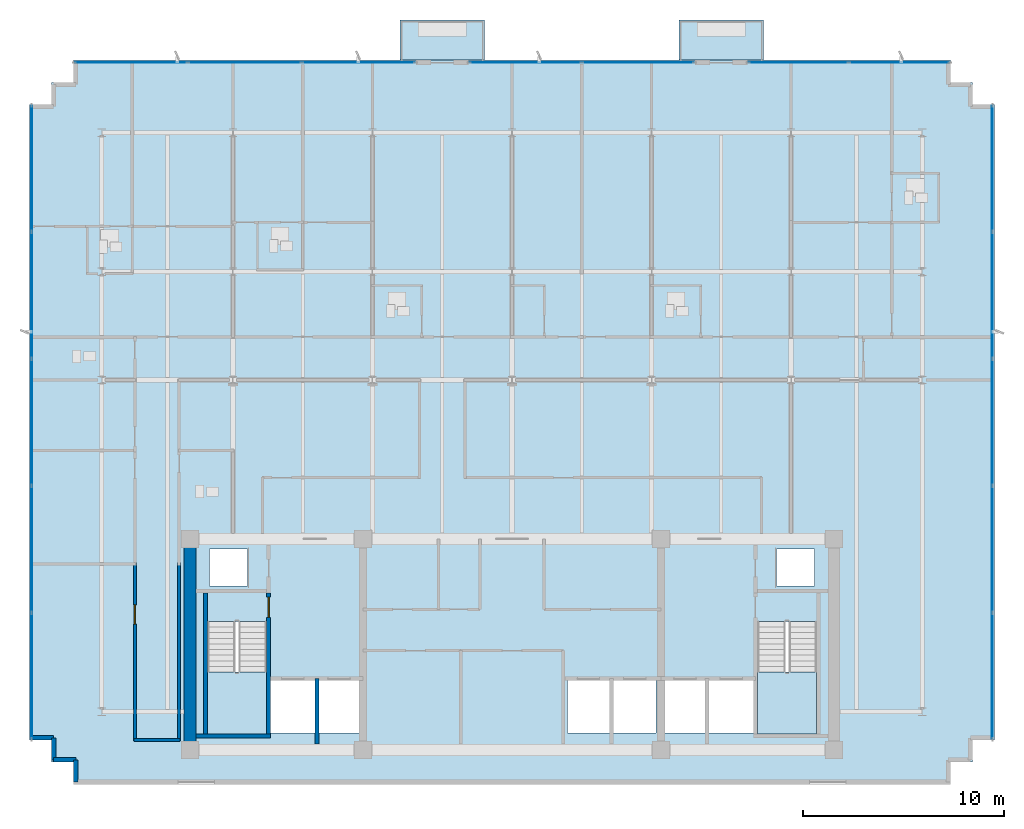
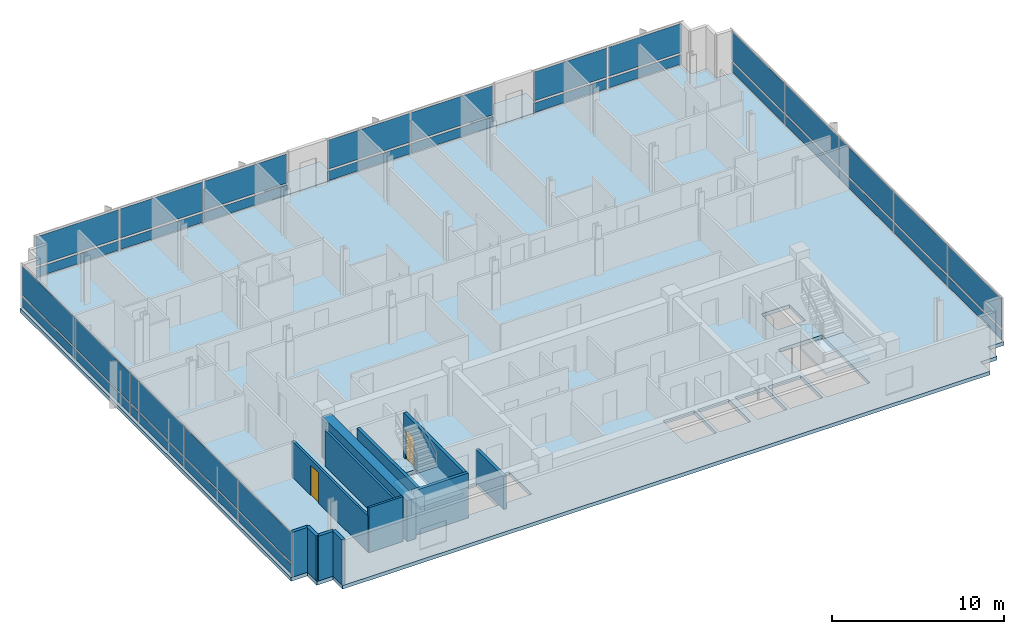
# One storey, part 7 of 14: 34 plates, 12 walls, 5 slabs, 2 doors, 2 openings, 7 elements without a shape of their own.
"""IFC4 building model written with IfcOpenShell, lengths in metres."""

from ifc_helpers import new_model, si_unit, direction, frame, frame_2d, origin, origin_2d, place, context, subcontext, project, spatial, polyline, rectangle, outline, extrude, material, layer, layer_set, type_object, element, fill, aggregate, save


model = new_model("IFC4")

# Units and contexts
model_context = context("Model", 3, precision=1e-05, world=origin(), true_north=direction((0.0, 1.0)))
body_context = subcontext(model_context, "Body", "Model", "MODEL_VIEW")
ifc_project = project(units=[si_unit("LENGTHUNIT", "METRE"), si_unit("AREAUNIT", "SQUARE_METRE"), si_unit("VOLUMEUNIT", "CUBIC_METRE"), si_unit("PLANEANGLEUNIT", "RADIAN"), si_unit("MASSUNIT", "GRAM", prefix="KILO")], contexts=[model_context])

# Site, building, storey
site_placement = place(None, origin())
site = spatial("IfcSite", under=ifc_project, at=site_placement, CompositionType="ELEMENT")
building_placement = place(site_placement, origin())
building = spatial("IfcBuilding", under=site, at=building_placement, Name="Solmavex Isthmus Hotel", CompositionType="ELEMENT")
storey_placement = place(building_placement, frame((0.0, 0.0, 252.300048828125)))
storey = spatial("IfcBuildingStorey", under=building, at=storey_placement, Name="L68", CompositionType="ELEMENT", Elevation=252.300048828125)

# Curtain wall, plates
ifc_material_1 = material(Name="Aluminium alloy 6063-T6", Category="aluminium")
curtain_wall_type = type_object("IfcCurtainWallType", Name="CW-SYS-04", PredefinedType="NOTDEFINED", material=ifc_material_1)
curtain_wall_1_placement = place(storey_placement, origin())
curtain_wall_1 = element("IfcCurtainWall", 1, at=curtain_wall_1_placement, inside=storey, type_object=curtain_wall_type, Name="Stick Curtain Wall CWL-L68-N1", PredefinedType="NOTDEFINED")
ifc_material_2 = material(Name="Clear low-E laminated glass", Category="glass")
ifc_layer_1 = layer(ifc_material_2, 0.033935546875)
ifc_layer_set_1 = layer_set([ifc_layer_1], Name="Clear low-E laminated glass")
plate_type = type_object("IfcPlateType", Name="CW-SYS-04-PNL", PredefinedType="CURTAIN_PANEL", material=ifc_layer_set_1)
plate_1_placement = place(storey_placement, frame((-18.942626953125, 21.179931640625, 0.14990234375), z_axis=(0.0, 0.0, 1.0), x_axis=(1.0, 0.0, 0.0)))
plate_1 = element("IfcPlate", 2, at=plate_1_placement, type_object=plate_type, Name="CW-04 panel 1.1", PredefinedType="CURTAIN_PANEL", context=body_context, shape_type="SweptSolid", body=[
    extrude(rectangle(XDim=5.56494140625, YDim=0.033935546875, at=origin_2d()), origin(), (0.0, 0.0, 1.0), 0.675048828125),
])
plate_2_placement = place(storey_placement, frame((-18.942626953125, 21.179931640625, 0.97509765625), z_axis=(0.0, 0.0, 1.0), x_axis=(1.0, 0.0, 0.0)))
plate_2 = element("IfcPlate", 3, at=plate_2_placement, type_object=plate_type, Name="CW-04 panel 1.2", PredefinedType="CURTAIN_PANEL", context=body_context, shape_type="SweptSolid", body=[
    extrude(rectangle(XDim=5.56494140625, YDim=0.033935546875, at=origin_2d()), origin(), (0.0, 0.0, 1.0), 2.06494140625),
])
plate_3_placement = place(storey_placement, frame((-13.283935546875, 21.179931640625, 0.14990234375), z_axis=(0.0, 0.0, 1.0), x_axis=(1.0, 0.0, 0.0)))
plate_3 = element("IfcPlate", 4, at=plate_3_placement, type_object=plate_type, Name="CW-04 panel 2.1", PredefinedType="CURTAIN_PANEL", context=body_context, shape_type="SweptSolid", body=[
    extrude(rectangle(XDim=5.602294921875, YDim=0.033935546875, at=origin_2d()), origin(), (0.0, 0.0, 1.0), 0.675048828125),
])
plate_4_placement = place(storey_placement, frame((-13.283935546875, 21.179931640625, 0.97509765625), z_axis=(0.0, 0.0, 1.0), x_axis=(1.0, 0.0, 0.0)))
plate_4 = element("IfcPlate", 5, at=plate_4_placement, type_object=plate_type, Name="CW-04 panel 2.2", PredefinedType="CURTAIN_PANEL", context=body_context, shape_type="SweptSolid", body=[
    extrude(rectangle(XDim=5.602294921875, YDim=0.033935546875, at=origin_2d()), origin(), (0.0, 0.0, 1.0), 2.06494140625),
])
plate_5_placement = place(storey_placement, frame((-7.62548828125, 21.179931640625, 0.14990234375), z_axis=(0.0, 0.0, 1.0), x_axis=(1.0, 0.0, 0.0)))
plate_5 = element("IfcPlate", 6, at=plate_5_placement, type_object=plate_type, Name="CW-04 panel 3.1", PredefinedType="CURTAIN_PANEL", context=body_context, shape_type="SweptSolid", body=[
    extrude(rectangle(XDim=5.56494140625, YDim=0.033935546875, at=origin_2d()), origin(), (0.0, 0.0, 1.0), 0.675048828125),
])
plate_6_placement = place(storey_placement, frame((-7.62548828125, 21.179931640625, 0.97509765625), z_axis=(0.0, 0.0, 1.0), x_axis=(1.0, 0.0, 0.0)))
plate_6 = element("IfcPlate", 7, at=plate_6_placement, type_object=plate_type, Name="CW-04 panel 3.2", PredefinedType="CURTAIN_PANEL", context=body_context, shape_type="SweptSolid", body=[
    extrude(rectangle(XDim=5.56494140625, YDim=0.033935546875, at=origin_2d()), origin(), (0.0, 0.0, 1.0), 2.06494140625),
])
aggregate(curtain_wall_1, [plate_1, plate_2, plate_3, plate_4, plate_5, plate_6])

curtain_wall_2_placement = place(storey_placement, origin())
curtain_wall_2 = element("IfcCurtainWall", 8, at=curtain_wall_2_placement, inside=storey, type_object=curtain_wall_type, Name="Stick Curtain Wall CWL-L68-N2", PredefinedType="NOTDEFINED")
plate_7_placement = place(storey_placement, frame((0.668701171875, 21.179931640625, 0.14990234375), z_axis=(0.0, 0.0, 1.0), x_axis=(1.0, 0.0, 0.0)))
plate_7 = element("IfcPlate", 9, at=plate_7_placement, type_object=plate_type, Name="CW-04 panel 1.1", PredefinedType="CURTAIN_PANEL", context=body_context, shape_type="SweptSolid", body=[
    extrude(rectangle(XDim=5.5234375, YDim=0.033935546875, at=origin_2d()), origin(), (0.0, 0.0, 1.0), 0.675048828125),
])
plate_8_placement = place(storey_placement, frame((0.668701171875, 21.179931640625, 0.97509765625), z_axis=(0.0, 0.0, 1.0), x_axis=(1.0, 0.0, 0.0)))
plate_8 = element("IfcPlate", 10, at=plate_8_placement, type_object=plate_type, Name="CW-04 panel 1.2", PredefinedType="CURTAIN_PANEL", context=body_context, shape_type="SweptSolid", body=[
    extrude(rectangle(XDim=5.5234375, YDim=0.033935546875, at=origin_2d()), origin(), (0.0, 0.0, 1.0), 2.06494140625),
])
plate_9_placement = place(storey_placement, frame((6.267333984375, 21.179931640625, 0.14990234375), z_axis=(0.0, 0.0, 1.0), x_axis=(1.0, 0.0, 0.0)))
plate_9 = element("IfcPlate", 11, at=plate_9_placement, type_object=plate_type, Name="CW-04 panel 2.1", PredefinedType="CURTAIN_PANEL", context=body_context, shape_type="SweptSolid", body=[
    extrude(rectangle(XDim=5.5234375, YDim=0.033935546875, at=origin_2d()), origin(), (0.0, 0.0, 1.0), 0.675048828125),
])
plate_10_placement = place(storey_placement, frame((6.267333984375, 21.179931640625, 0.97509765625), z_axis=(0.0, 0.0, 1.0), x_axis=(1.0, 0.0, 0.0)))
plate_10 = element("IfcPlate", 12, at=plate_10_placement, type_object=plate_type, Name="CW-04 panel 2.2", PredefinedType="CURTAIN_PANEL", context=body_context, shape_type="SweptSolid", body=[
    extrude(rectangle(XDim=5.5234375, YDim=0.033935546875, at=origin_2d()), origin(), (0.0, 0.0, 1.0), 2.06494140625),
])
aggregate(curtain_wall_2, [plate_7, plate_8, plate_9, plate_10])

curtain_wall_3_placement = place(storey_placement, origin())
curtain_wall_3 = element("IfcCurtainWall", 13, at=curtain_wall_3_placement, inside=storey, type_object=curtain_wall_type, Name="Stick Curtain Wall CWL-L68-N3", PredefinedType="NOTDEFINED")
plate_11_placement = place(storey_placement, frame((14.246826171875, 21.179931640625, 0.14990234375), z_axis=(0.0, 0.0, 1.0), x_axis=(1.0, 0.0, 0.0)))
plate_11 = element("IfcPlate", 14, at=plate_11_placement, type_object=plate_type, Name="CW-04 panel 1.1", PredefinedType="CURTAIN_PANEL", context=body_context, shape_type="SweptSolid", body=[
    extrude(rectangle(XDim=4.935546875, YDim=0.033935546875, at=origin_2d()), origin(), (0.0, 0.0, 1.0), 0.675048828125),
])
plate_12_placement = place(storey_placement, frame((14.246826171875, 21.179931640625, 0.97509765625), z_axis=(0.0, 0.0, 1.0), x_axis=(1.0, 0.0, 0.0)))
plate_12 = element("IfcPlate", 15, at=plate_12_placement, type_object=plate_type, Name="CW-04 panel 1.2", PredefinedType="CURTAIN_PANEL", context=body_context, shape_type="SweptSolid", body=[
    extrude(rectangle(XDim=4.935546875, YDim=0.033935546875, at=origin_2d()), origin(), (0.0, 0.0, 1.0), 2.06494140625),
])
plate_13_placement = place(storey_placement, frame((19.25732421875, 21.179931640625, 0.14990234375), z_axis=(0.0, 0.0, 1.0), x_axis=(1.0, 0.0, 0.0)))
plate_13 = element("IfcPlate", 16, at=plate_13_placement, type_object=plate_type, Name="CW-04 panel 2.1", PredefinedType="CURTAIN_PANEL", context=body_context, shape_type="SweptSolid", body=[
    extrude(rectangle(XDim=4.935546875, YDim=0.033935546875, at=origin_2d()), origin(), (0.0, 0.0, 1.0), 0.675048828125),
])
plate_14_placement = place(storey_placement, frame((19.25732421875, 21.179931640625, 0.97509765625), z_axis=(0.0, 0.0, 1.0), x_axis=(1.0, 0.0, 0.0)))
plate_14 = element("IfcPlate", 17, at=plate_14_placement, type_object=plate_type, Name="CW-04 panel 2.2", PredefinedType="CURTAIN_PANEL", context=body_context, shape_type="SweptSolid", body=[
    extrude(rectangle(XDim=4.935546875, YDim=0.033935546875, at=origin_2d()), origin(), (0.0, 0.0, 1.0), 2.06494140625),
])
aggregate(curtain_wall_3, [plate_11, plate_12, plate_13, plate_14])

curtain_wall_4_placement = place(storey_placement, origin())
curtain_wall_4 = element("IfcCurtainWall", 18, at=curtain_wall_4_placement, inside=storey, type_object=curtain_wall_type, Name="Stick Curtain Wall CWL-L68-W1", PredefinedType="NOTDEFINED")
plate_15_placement = place(storey_placement, frame((-23.8798828125, -9.3212890625, 0.14990234375), z_axis=(0.0, 0.0, 1.0), x_axis=(0.0, 1.0, 0.0)))
plate_15 = element("IfcPlate", 19, at=plate_15_placement, type_object=plate_type, Name="CW-04 panel 1.1", PredefinedType="CURTAIN_PANEL", context=body_context, shape_type="SweptSolid", body=[
    extrude(rectangle(XDim=6.20751953125, YDim=0.033935546875, at=origin_2d()), origin(), (0.0, 0.0, 1.0), 0.675048828125),
])
plate_16_placement = place(storey_placement, frame((-23.8798828125, -9.3212890625, 0.97509765625), z_axis=(0.0, 0.0, 1.0), x_axis=(0.0, 1.0, 0.0)))
plate_16 = element("IfcPlate", 20, at=plate_16_placement, type_object=plate_type, Name="CW-04 panel 1.2", PredefinedType="CURTAIN_PANEL", context=body_context, shape_type="SweptSolid", body=[
    extrude(rectangle(XDim=6.20751953125, YDim=0.033935546875, at=origin_2d()), origin(), (0.0, 0.0, 1.0), 2.06494140625),
])
plate_17_placement = place(storey_placement, frame((-23.8798828125, -3.02001953125, 0.14990234375), z_axis=(0.0, 0.0, 1.0), x_axis=(0.0, 1.0, 0.0)))
plate_17 = element("IfcPlate", 21, at=plate_17_placement, type_object=plate_type, Name="CW-04 panel 2.1", PredefinedType="CURTAIN_PANEL", context=body_context, shape_type="SweptSolid", body=[
    extrude(rectangle(XDim=6.2451171875, YDim=0.033935546875, at=origin_2d()), origin(), (0.0, 0.0, 1.0), 0.675048828125),
])
plate_18_placement = place(storey_placement, frame((-23.8798828125, -3.02001953125, 0.97509765625), z_axis=(0.0, 0.0, 1.0), x_axis=(0.0, 1.0, 0.0)))
plate_18 = element("IfcPlate", 22, at=plate_18_placement, type_object=plate_type, Name="CW-04 panel 2.2", PredefinedType="CURTAIN_PANEL", context=body_context, shape_type="SweptSolid", body=[
    extrude(rectangle(XDim=6.2451171875, YDim=0.033935546875, at=origin_2d()), origin(), (0.0, 0.0, 1.0), 2.06494140625),
])
plate_19_placement = place(storey_placement, frame((-23.8798828125, 3.300048828125, 0.14990234375), z_axis=(0.0, 0.0, 1.0), x_axis=(0.0, 1.0, 0.0)))
plate_19 = element("IfcPlate", 23, at=plate_19_placement, type_object=plate_type, Name="CW-04 panel 3.1", PredefinedType="CURTAIN_PANEL", context=body_context, shape_type="SweptSolid", body=[
    extrude(rectangle(XDim=6.2451171875, YDim=0.033935546875, at=origin_2d()), origin(), (0.0, 0.0, 1.0), 0.675048828125),
])
plate_20_placement = place(storey_placement, frame((-23.8798828125, 3.300048828125, 0.97509765625), z_axis=(0.0, 0.0, 1.0), x_axis=(0.0, 1.0, 0.0)))
plate_20 = element("IfcPlate", 24, at=plate_20_placement, type_object=plate_type, Name="CW-04 panel 3.2", PredefinedType="CURTAIN_PANEL", context=body_context, shape_type="SweptSolid", body=[
    extrude(rectangle(XDim=6.2451171875, YDim=0.033935546875, at=origin_2d()), origin(), (0.0, 0.0, 1.0), 2.06494140625),
])
plate_21_placement = place(storey_placement, frame((-23.8798828125, 9.6201171875, 0.14990234375), z_axis=(0.0, 0.0, 1.0), x_axis=(0.0, 1.0, 0.0)))
plate_21 = element("IfcPlate", 25, at=plate_21_placement, type_object=plate_type, Name="CW-04 panel 4.1", PredefinedType="CURTAIN_PANEL", context=body_context, shape_type="SweptSolid", body=[
    extrude(rectangle(XDim=6.2451171875, YDim=0.033935546875, at=origin_2d()), origin(), (0.0, 0.0, 1.0), 0.675048828125),
])
plate_22_placement = place(storey_placement, frame((-23.8798828125, 9.6201171875, 0.97509765625), z_axis=(0.0, 0.0, 1.0), x_axis=(0.0, 1.0, 0.0)))
plate_22 = element("IfcPlate", 26, at=plate_22_placement, type_object=plate_type, Name="CW-04 panel 4.2", PredefinedType="CURTAIN_PANEL", context=body_context, shape_type="SweptSolid", body=[
    extrude(rectangle(XDim=6.2451171875, YDim=0.033935546875, at=origin_2d()), origin(), (0.0, 0.0, 1.0), 2.06494140625),
])
plate_23_placement = place(storey_placement, frame((-23.8798828125, 15.921142578125, 0.14990234375), z_axis=(0.0, 0.0, 1.0), x_axis=(0.0, 1.0, 0.0)))
plate_23 = element("IfcPlate", 27, at=plate_23_placement, type_object=plate_type, Name="CW-04 panel 5.1", PredefinedType="CURTAIN_PANEL", context=body_context, shape_type="SweptSolid", body=[
    extrude(rectangle(XDim=6.20751953125, YDim=0.033935546875, at=origin_2d()), origin(), (0.0, 0.0, 1.0), 0.675048828125),
])
plate_24_placement = place(storey_placement, frame((-23.8798828125, 15.921142578125, 0.97509765625), z_axis=(0.0, 0.0, 1.0), x_axis=(0.0, 1.0, 0.0)))
plate_24 = element("IfcPlate", 28, at=plate_24_placement, type_object=plate_type, Name="CW-04 panel 5.2", PredefinedType="CURTAIN_PANEL", context=body_context, shape_type="SweptSolid", body=[
    extrude(rectangle(XDim=6.20751953125, YDim=0.033935546875, at=origin_2d()), origin(), (0.0, 0.0, 1.0), 2.06494140625),
])
aggregate(curtain_wall_4, [plate_15, plate_16, plate_17, plate_18, plate_19, plate_20, plate_21, plate_22, plate_23, plate_24])

curtain_wall_5_placement = place(storey_placement, origin())
curtain_wall_5 = element("IfcCurtainWall", 29, at=curtain_wall_5_placement, inside=storey, type_object=curtain_wall_type, Name="Stick Curtain Wall CWL-L68-E1", PredefinedType="NOTDEFINED")
plate_25_placement = place(storey_placement, frame((23.8798828125, -9.3212890625, 0.14990234375), z_axis=(0.0, 0.0, 1.0), x_axis=(0.0, 1.0, 0.0)))
plate_25 = element("IfcPlate", 30, at=plate_25_placement, type_object=plate_type, Name="CW-04 panel 1.1", PredefinedType="CURTAIN_PANEL", context=body_context, shape_type="SweptSolid", body=[
    extrude(rectangle(XDim=6.20751953125, YDim=0.033935546875, at=origin_2d()), origin(), (0.0, 0.0, 1.0), 0.675048828125),
])
plate_26_placement = place(storey_placement, frame((23.8798828125, -9.3212890625, 0.97509765625), z_axis=(0.0, 0.0, 1.0), x_axis=(0.0, 1.0, 0.0)))
plate_26 = element("IfcPlate", 31, at=plate_26_placement, type_object=plate_type, Name="CW-04 panel 1.2", PredefinedType="CURTAIN_PANEL", context=body_context, shape_type="SweptSolid", body=[
    extrude(rectangle(XDim=6.20751953125, YDim=0.033935546875, at=origin_2d()), origin(), (0.0, 0.0, 1.0), 2.06494140625),
])
plate_27_placement = place(storey_placement, frame((23.8798828125, -3.02001953125, 0.14990234375), z_axis=(0.0, 0.0, 1.0), x_axis=(0.0, 1.0, 0.0)))
plate_27 = element("IfcPlate", 32, at=plate_27_placement, type_object=plate_type, Name="CW-04 panel 2.1", PredefinedType="CURTAIN_PANEL", context=body_context, shape_type="SweptSolid", body=[
    extrude(rectangle(XDim=6.2451171875, YDim=0.033935546875, at=origin_2d()), origin(), (0.0, 0.0, 1.0), 0.675048828125),
])
plate_28_placement = place(storey_placement, frame((23.8798828125, -3.02001953125, 0.97509765625), z_axis=(0.0, 0.0, 1.0), x_axis=(0.0, 1.0, 0.0)))
plate_28 = element("IfcPlate", 33, at=plate_28_placement, type_object=plate_type, Name="CW-04 panel 2.2", PredefinedType="CURTAIN_PANEL", context=body_context, shape_type="SweptSolid", body=[
    extrude(rectangle(XDim=6.2451171875, YDim=0.033935546875, at=origin_2d()), origin(), (0.0, 0.0, 1.0), 2.06494140625),
])
plate_29_placement = place(storey_placement, frame((23.8798828125, 3.300048828125, 0.14990234375), z_axis=(0.0, 0.0, 1.0), x_axis=(0.0, 1.0, 0.0)))
plate_29 = element("IfcPlate", 34, at=plate_29_placement, type_object=plate_type, Name="CW-04 panel 3.1", PredefinedType="CURTAIN_PANEL", context=body_context, shape_type="SweptSolid", body=[
    extrude(rectangle(XDim=6.2451171875, YDim=0.033935546875, at=origin_2d()), origin(), (0.0, 0.0, 1.0), 0.675048828125),
])
plate_30_placement = place(storey_placement, frame((23.8798828125, 3.300048828125, 0.97509765625), z_axis=(0.0, 0.0, 1.0), x_axis=(0.0, 1.0, 0.0)))
plate_30 = element("IfcPlate", 35, at=plate_30_placement, type_object=plate_type, Name="CW-04 panel 3.2", PredefinedType="CURTAIN_PANEL", context=body_context, shape_type="SweptSolid", body=[
    extrude(rectangle(XDim=6.2451171875, YDim=0.033935546875, at=origin_2d()), origin(), (0.0, 0.0, 1.0), 2.06494140625),
])
plate_31_placement = place(storey_placement, frame((23.8798828125, 9.6201171875, 0.14990234375), z_axis=(0.0, 0.0, 1.0), x_axis=(0.0, 1.0, 0.0)))
plate_31 = element("IfcPlate", 36, at=plate_31_placement, type_object=plate_type, Name="CW-04 panel 4.1", PredefinedType="CURTAIN_PANEL", context=body_context, shape_type="SweptSolid", body=[
    extrude(rectangle(XDim=6.2451171875, YDim=0.033935546875, at=origin_2d()), origin(), (0.0, 0.0, 1.0), 0.675048828125),
])
plate_32_placement = place(storey_placement, frame((23.8798828125, 9.6201171875, 0.97509765625), z_axis=(0.0, 0.0, 1.0), x_axis=(0.0, 1.0, 0.0)))
plate_32 = element("IfcPlate", 37, at=plate_32_placement, type_object=plate_type, Name="CW-04 panel 4.2", PredefinedType="CURTAIN_PANEL", context=body_context, shape_type="SweptSolid", body=[
    extrude(rectangle(XDim=6.2451171875, YDim=0.033935546875, at=origin_2d()), origin(), (0.0, 0.0, 1.0), 2.06494140625),
])
plate_33_placement = place(storey_placement, frame((23.8798828125, 15.921142578125, 0.14990234375), z_axis=(0.0, 0.0, 1.0), x_axis=(0.0, 1.0, 0.0)))
plate_33 = element("IfcPlate", 38, at=plate_33_placement, type_object=plate_type, Name="CW-04 panel 5.1", PredefinedType="CURTAIN_PANEL", context=body_context, shape_type="SweptSolid", body=[
    extrude(rectangle(XDim=6.20751953125, YDim=0.033935546875, at=origin_2d()), origin(), (0.0, 0.0, 1.0), 0.675048828125),
])
plate_34_placement = place(storey_placement, frame((23.8798828125, 15.921142578125, 0.97509765625), z_axis=(0.0, 0.0, 1.0), x_axis=(0.0, 1.0, 0.0)))
plate_34 = element("IfcPlate", 39, at=plate_34_placement, type_object=plate_type, Name="CW-04 panel 5.2", PredefinedType="CURTAIN_PANEL", context=body_context, shape_type="SweptSolid", body=[
    extrude(rectangle(XDim=6.20751953125, YDim=0.033935546875, at=origin_2d()), origin(), (0.0, 0.0, 1.0), 2.06494140625),
])
aggregate(curtain_wall_5, [plate_25, plate_26, plate_27, plate_28, plate_29, plate_30, plate_31, plate_32, plate_33, plate_34])

# Slabs
ifc_material_3 = material(Name="Concrete C40/50", Category="concrete")
ifc_layer_2 = layer(ifc_material_3, 0.239990234375)
ifc_layer_set_2 = layer_set([ifc_layer_2], Name="Concrete C40/50")
slab_type_1 = type_object("IfcSlabType", Name="SLAB-BALC-240", PredefinedType="FLOOR", material=ifc_layer_set_2)
slab_1_placement = place(storey_placement, frame((0.0, 0.0, -0.239990234375)))
element("IfcSlab", 40, at=slab_1_placement, inside=storey, type_object=slab_type_1, Name="Tree-Planter Balcony Slab L68-B1", PredefinedType="FLOOR", context=body_context, shape_type="SweptSolid", body=[
    extrude(outline(polyline([(-5.568115234375, 21.31494140625), (-1.367919921875, 21.31494140625), (-1.367919921875, 23.300048828125), (-5.568115234375, 23.300048828125), (-5.568115234375, 21.31494140625)])), origin(), (0.0, 0.0, 1.0), 0.239990234375),
])
slab_2_placement = place(storey_placement, frame((0.0, 0.0, -0.239990234375)))
element("IfcSlab", 41, at=slab_2_placement, inside=storey, type_object=slab_type_1, Name="Tree-Planter Balcony Slab L68-B2", PredefinedType="FLOOR", context=body_context, shape_type="SweptSolid", body=[
    extrude(outline(polyline([(8.303955078125, 21.31494140625), (12.50390625, 21.31494140625), (12.50390625, 23.300048828125), (8.303955078125, 23.300048828125), (8.303955078125, 21.31494140625)])), origin(), (0.0, 0.0, 1.0), 0.239990234375),
])
ifc_layer_3 = layer(ifc_material_3, 0.260009765625)
ifc_layer_set_3 = layer_set([ifc_layer_3], Name="Concrete C40/50")
slab_type_2 = type_object("IfcSlabType", Name="SLAB-TYP-260", PredefinedType="FLOOR", material=ifc_layer_set_3)
slab_3_placement = place(storey_placement, frame((0.0, 0.0, -0.260009765625)))
element("IfcSlab", 42, at=slab_3_placement, inside=storey, type_object=slab_type_2, Name="Tower Structural Floor Slab L68", PredefinedType="FLOOR", context=body_context, shape_type="SweptSolid", body=[
    extrude(outline(polyline([(-20.699951171875, -14.699951171875), (20.699951171875, -14.699951171875), (21.800048828125, -14.699951171875), (21.800048828125, -13.60009765625), (22.89990234375, -13.60009765625), (22.89990234375, -12.5), (24.0, -12.5), (24.0, -11.39990234375), (24.0, 18.0), (24.0, 19.10009765625), (22.89990234375, 19.10009765625), (22.89990234375, 20.199951171875), (21.800048828125, 20.199951171875), (21.800048828125, 21.300048828125), (20.699951171875, 21.300048828125), (-20.699951171875, 21.300048828125), (-21.800048828125, 21.300048828125), (-21.800048828125, 20.199951171875), (-22.89990234375, 20.199951171875), (-22.89990234375, 19.10009765625), (-24.0, 19.10009765625), (-24.0, 18.0), (-24.0, -11.39990234375), (-24.0, -12.5), (-22.89990234375, -12.5), (-22.89990234375, -13.60009765625), (-21.800048828125, -13.60009765625), (-21.800048828125, -14.699951171875), (-20.699951171875, -14.699951171875)]), holes=[polyline([(-15.14990234375, -6.617919921875), (-15.14990234375, -12.199951171875), (-12.199951171875, -12.199951171875), (-12.199951171875, -6.617919921875), (-15.14990234375, -6.617919921875)]), polyline([(12.199951171875, -6.617919921875), (12.199951171875, -12.199951171875), (15.14990234375, -12.199951171875), (15.14990234375, -6.617919921875), (12.199951171875, -6.617919921875)]), polyline([(-12.0, -12.14990234375), (-9.800048828125, -12.14990234375), (-9.800048828125, -9.550048828125), (-12.0, -9.550048828125), (-12.0, -12.14990234375)]), polyline([(9.800048828125, -12.14990234375), (12.0, -12.14990234375), (12.0, -9.550048828125), (9.800048828125, -9.550048828125), (9.800048828125, -12.14990234375)]), polyline([(-9.60009765625, -12.14990234375), (-7.60009765625, -12.14990234375), (-7.60009765625, -9.550048828125), (-9.60009765625, -9.550048828125), (-9.60009765625, -12.14990234375)]), polyline([(7.60009765625, -12.14990234375), (9.60009765625, -12.14990234375), (9.60009765625, -9.550048828125), (7.60009765625, -9.550048828125), (7.60009765625, -12.14990234375)]), polyline([(2.75, -12.14990234375), (4.85009765625, -12.14990234375), (4.85009765625, -9.550048828125), (2.75, -9.550048828125), (2.75, -12.14990234375)]), polyline([(5.050048828125, -12.14990234375), (7.14990234375, -12.14990234375), (7.14990234375, -9.550048828125), (5.050048828125, -9.550048828125), (5.050048828125, -12.14990234375)]), polyline([(-15.050048828125, -4.85009765625), (-13.14990234375, -4.85009765625), (-13.14990234375, -3.0), (-15.050048828125, -3.0), (-15.050048828125, -4.85009765625)]), polyline([(13.14990234375, -4.85009765625), (15.050048828125, -4.85009765625), (15.050048828125, -3.0), (13.14990234375, -3.0), (13.14990234375, -4.85009765625)])]), origin(), (0.0, 0.0, 1.0), 0.260009765625),
])

# Stair, slab
stair_type_1 = type_object("IfcStairType", Name="STR-ST-1", PredefinedType="HALF_TURN_STAIR", material=ifc_material_3)
stair_1_placement = place(storey_placement, origin())
stair_1 = element("IfcStair", 43, at=stair_1_placement, inside=storey, type_object=stair_type_1, Name="L68 Protected Exit Stair ST-1", PredefinedType="HALF_TURN_STAIR")
ifc_layer_4 = layer(ifc_material_3, 0.219970703125)
ifc_layer_set_4 = layer_set([ifc_layer_4], Name="Concrete C40/50")
slab_type_3 = type_object("IfcSlabType", Name="SLD-ST-1", PredefinedType="LANDING", material=ifc_layer_set_4)
slab_4_placement = place(storey_placement, frame((0.0, 0.0, 1.52490234375)))
slab_4 = element("IfcSlab", 44, at=slab_4_placement, type_object=slab_type_3, Name="ST-1 landing 1", PredefinedType="LANDING", context=body_context, shape_type="SweptSolid", body=[
    extrude(outline(polyline([(-15.14990234375, -9.1201171875), (-15.14990234375, -12.199951171875), (-12.199951171875, -12.199951171875), (-12.199951171875, -9.1201171875), (-15.14990234375, -9.1201171875)])), origin(), (0.0, 0.0, 1.0), 0.199951171875),
])
aggregate(stair_1, [slab_4])

stair_type_2 = type_object("IfcStairType", Name="STR-ST-2", PredefinedType="HALF_TURN_STAIR", material=ifc_material_3)
stair_2_placement = place(storey_placement, origin())
stair_2 = element("IfcStair", 45, at=stair_2_placement, inside=storey, type_object=stair_type_2, Name="L68 Protected Exit Stair ST-2", PredefinedType="HALF_TURN_STAIR")
ifc_layer_5 = layer(ifc_material_3, 0.219970703125)
ifc_layer_set_5 = layer_set([ifc_layer_5], Name="Concrete C40/50")
slab_type_4 = type_object("IfcSlabType", Name="SLD-ST-2", PredefinedType="LANDING", material=ifc_layer_set_5)
slab_5_placement = place(storey_placement, frame((0.0, 0.0, 1.52490234375)))
slab_5 = element("IfcSlab", 46, at=slab_5_placement, type_object=slab_type_4, Name="ST-2 landing 1", PredefinedType="LANDING", context=body_context, shape_type="SweptSolid", body=[
    extrude(outline(polyline([(12.199951171875, -9.1201171875), (12.199951171875, -12.199951171875), (15.14990234375, -12.199951171875), (15.14990234375, -9.1201171875), (12.199951171875, -9.1201171875)])), origin(), (0.0, 0.0, 1.0), 0.199951171875),
])
aggregate(stair_2, [slab_5])

# Walls
ifc_material_4 = material(Name="Precast Concrete C40/50", Category="concrete")
ifc_layer_6 = layer(ifc_material_4, 0.25)
ifc_layer_set_6 = layer_set([ifc_layer_6], Name="Precast Concrete C40/50")
wall_type_1 = type_object("IfcWallType", Name="EW-TWR-250", PredefinedType="STANDARD", material=ifc_layer_set_6)
for number, where, z_axis, x_axis, name in (
    (47, (-21.68994140625, -14.590087890625, 0.0), (0.0, 0.0, 1.0), (0.0, 1.0, 0.0), "Serrated Corner Facade Panel L68-01"),
    (48, (-21.68994140625, -13.489990234375, 0.0), (0.0, 0.0, 1.0), (-1.0, 0.0, 0.0), "Serrated Corner Facade Panel L68-02"),
    (49, (-22.7900390625, -13.489990234375, 0.0), (0.0, 0.0, 1.0), (0.0, 1.0, 0.0), "Serrated Corner Facade Panel L68-03"),
):
    element("IfcWall", number, at=place(storey_placement, frame(where, z_axis=z_axis, x_axis=x_axis)), inside=storey, type_object=wall_type_1, Name=name, PredefinedType="STANDARD", context=body_context, shape_type="SweptSolid", body=[
        extrude(rectangle(XDim=1.10009765625, YDim=0.219970703125, at=frame_2d((0.550048828125, 0.0))), origin(), (0.0, 0.0, 1.0), 3.18994140625),
    ])
wall_1_placement = place(storey_placement, frame((-22.7900390625, -12.389892578125, 0.0), z_axis=(0.0, 0.0, 1.0), x_axis=(-1.0, 0.0, 0.0)))
element("IfcWall", 50, at=wall_1_placement, inside=storey, type_object=wall_type_1, Name="Serrated Corner Facade Panel L68-04", PredefinedType="STANDARD", context=body_context, shape_type="SweptSolid", body=[
    extrude(rectangle(XDim=1.099853515625, YDim=0.219970703125, at=frame_2d((0.5498046875, 0.0))), origin(), (0.0, 0.0, 1.0), 3.18994140625),
])
ifc_material_5 = material(Name="Gypsum plasterboard lining", Category="gypsum")
ifc_layer_7 = layer(ifc_material_5, 0.14990234375)
ifc_layer_set_7 = layer_set([ifc_layer_7], Name="Gypsum plasterboard lining")
wall_type_2 = type_object("IfcWallType", Name="IW-CORR-150", PredefinedType="PARTITIONING", material=ifc_layer_set_7)
wall_2_placement = place(storey_placement, frame((-16.550048828125, -3.66796875, 0.0), z_axis=(0.0, 0.0, 1.0), x_axis=(0.0, -1.0, 0.0)))
element("IfcWall", 51, at=wall_2_placement, inside=storey, type_object=wall_type_2, Name="Interior Partition Wall W-L68-P034", PredefinedType="PARTITIONING", context=body_context, shape_type="SweptSolid", body=[
    extrude(rectangle(XDim=8.8720703125, YDim=0.14990234375, at=frame_2d((4.43603515625, 0.0))), origin(), (0.0, 0.0, 1.0), 2.557373046875),
])
wall_3_placement = place(storey_placement, frame((-16.510009765625, -12.5, 0.0), z_axis=(0.0, 0.0, 1.0), x_axis=(-1.0, 0.0, 0.0)))
element("IfcWall", 52, at=wall_3_placement, inside=storey, type_object=wall_type_2, Name="Interior Partition Wall W-L68-P035", PredefinedType="PARTITIONING", context=body_context, shape_type="SweptSolid", body=[
    extrude(rectangle(XDim=2.280029296875, YDim=0.14990234375, at=frame_2d((1.14013671875, 0.0))), origin(), (0.0, 0.0, 1.0), 3.18994140625),
])

# Wall, opening, door
wall_4_placement = place(storey_placement, frame((-18.75, -12.5400390625, 0.0), z_axis=(0.0, 0.0, 1.0), x_axis=(0.0, 1.0, 0.0)))
wall_4 = element("IfcWall", 53, at=wall_4_placement, inside=storey, type_object=wall_type_2, Name="Interior Partition Wall W-L68-P036", PredefinedType="PARTITIONING", context=body_context, shape_type="SweptSolid", body=[
    extrude(rectangle(XDim=8.8720703125, YDim=0.14990234375, at=frame_2d((4.43603515625, 0.0))), origin(), (0.0, 0.0, 1.0), 2.557373046875),
])
opening_1_placement = place(wall_4_placement, frame((5.807373046875, 0.0, 0.0)))
opening_1 = element("IfcOpeningElement", 54, at=opening_1_placement, cuts=wall_4, Name="Opening ID-C095", PredefinedType="OPENING", context=body_context, shape_type="SweptSolid", body=[
    extrude(rectangle(XDim=0.949951171875, YDim=2.14990234375, at=frame_2d((0.47509765625, 1.074951171875))), frame((0.0, 0.0849609375, 0.0), z_axis=(0.0, -1.0, 0.0), x_axis=(1.0, 0.0, 0.0)), (0.0, 0.0, 1.0), 0.169921875),
])
ifc_material_6 = material(Name="Hardwood timber", Category="wood")
door_type_1 = type_object("IfcDoorType", Name="IDR-FD60-0950", OperationType="NOTDEFINED", PredefinedType="DOOR", material=ifc_material_6)
door_1_placement = place(opening_1_placement, origin())
door_1 = element("IfcDoor", 55, at=door_1_placement, inside=storey, type_object=door_type_1, Name="Executive Hospitality Lounge Door L68-28", OperationType="SINGLE_SWING_RIGHT", OverallHeight=2.14990234375, OverallWidth=0.949951171875, PredefinedType="DOOR", context=body_context, shape_type="SweptSolid", body=[
    extrude(rectangle(XDim=0.949951171875, YDim=2.14990234375, at=frame_2d((0.47509765625, 1.074951171875))), frame((0.0, 0.02490234375, 0.0), z_axis=(0.0, -1.0, 0.0), x_axis=(1.0, 0.0, 0.0)), (0.0, 0.0, 1.0), 0.050048828125),
])
fill(opening_1, door_1)

# Walls
ifc_layer_8 = layer(ifc_material_3, 0.199951171875)
ifc_layer_set_8 = layer_set([ifc_layer_8], Name="Concrete C40/50")
wall_type_3 = type_object("IfcWallType", Name="IW-SHAFT-200", PredefinedType="PARTITIONING", material=ifc_layer_set_8)
wall_5_placement = place(storey_placement, frame((-9.699951171875, -12.699951171875, 0.0), z_axis=(0.0, 0.0, 1.0), x_axis=(0.0, 1.0, 0.0)))
element("IfcWall", 56, at=wall_5_placement, inside=storey, type_object=wall_type_3, Name="Interior Partition Wall W-L68-FFLW-M", PredefinedType="PARTITIONING", context=body_context, shape_type="SweptSolid", body=[
    extrude(rectangle(XDim=3.25, YDim=0.199951171875, at=frame_2d((1.625, 0.0))), origin(), (0.0, 0.0, 1.0), 2.324951171875),
])
ifc_material_7 = material(Name="Concrete C50/60", Category="concrete")
ifc_layer_9 = layer(ifc_material_7, 0.60009765625)
ifc_layer_set_9 = layer_set([ifc_layer_9], Name="Concrete C50/60")
wall_type_4 = type_object("IfcWallType", Name="WALL-CW-600", PredefinedType="SHEAR", material=ifc_layer_set_9)
wall_6_placement = place(storey_placement, frame((-16.0, -12.699951171875, 0.0), z_axis=(0.0, 0.0, 1.0), x_axis=(0.0, 1.0, 0.0)))
element("IfcWall", 57, at=wall_6_placement, inside=storey, type_object=wall_type_4, Name="Core Shear Wall West L68", PredefinedType="SHEAR", context=body_context, shape_type="SweptSolid", body=[
    extrude(rectangle(XDim=9.89990234375, YDim=0.60009765625, at=frame_2d((4.949951171875, 0.0))), origin(), (0.0, 0.0, 1.0), 2.909912109375),
])
ifc_layer_10 = layer(ifc_material_3, 0.199951171875)
ifc_layer_set_10 = layer_set([ifc_layer_10], Name="Concrete C40/50")
wall_type_5 = type_object("IfcWallType", Name="WALL-SW-200", PredefinedType="SOLIDWALL", material=ifc_layer_set_10)
wall_7_placement = place(storey_placement, frame((-15.699951171875, -12.300048828125, 0.0), z_axis=(0.0, 0.0, 1.0), x_axis=(1.0, 0.0, 0.0)))
element("IfcWall", 58, at=wall_7_placement, inside=storey, type_object=wall_type_5, Name="Stairwell Structural Wall SW-L68-ST1-S", PredefinedType="SOLIDWALL", context=body_context, shape_type="SweptSolid", body=[
    extrude(rectangle(XDim=3.699951171875, YDim=0.199951171875, at=frame_2d((1.85009765625, 0.0))), origin(), (0.0, 0.0, 1.0), 3.18994140625),
])
wall_8_placement = place(storey_placement, frame((-15.25, -12.199951171875, 0.0), z_axis=(0.0, 0.0, 1.0), x_axis=(0.0, 1.0, 0.0)))
element("IfcWall", 59, at=wall_8_placement, inside=storey, type_object=wall_type_5, Name="Stairwell Structural Wall SW-L68-ST1-W", PredefinedType="SOLIDWALL", context=body_context, shape_type="SweptSolid", body=[
    extrude(rectangle(XDim=7.0, YDim=0.199951171875, at=frame_2d((3.5, 0.0))), origin(), (0.0, 0.0, 1.0), 3.18994140625),
])

# Wall, opening, door
wall_9_placement = place(storey_placement, frame((-12.10009765625, -12.199951171875, 0.0), z_axis=(0.0, 0.0, 1.0), x_axis=(0.0, 1.0, 0.0)))
wall_9 = element("IfcWall", 60, at=wall_9_placement, inside=storey, type_object=wall_type_5, Name="Stairwell Structural Wall SW-L68-ST1-E", PredefinedType="SOLIDWALL", context=body_context, shape_type="SweptSolid", body=[
    extrude(rectangle(XDim=7.0, YDim=0.199951171875, at=frame_2d((3.5, 0.0))), origin(), (0.0, 0.0, 1.0), 3.18994140625),
])
opening_2_placement = place(wall_9_placement, frame((5.800048828125, 0.0, 0.0)))
opening_2 = element("IfcOpeningElement", 61, at=opening_2_placement, cuts=wall_9, Name="Opening ID-F100", PredefinedType="OPENING", context=body_context, shape_type="SweptSolid", body=[
    extrude(rectangle(XDim=1.0, YDim=2.10009765625, at=frame_2d((0.5, 1.050048828125))), frame((0.0, 0.10986328125, 0.0), z_axis=(0.0, -1.0, 0.0), x_axis=(1.0, 0.0, 0.0)), (0.0, 0.0, 1.0), 0.219970703125),
])
ifc_material_8 = material(Name="Steel ASTM A500 Grade C", Category="steel")
door_type_2 = type_object("IfcDoorType", Name="IDR-FD90-1000", OperationType="NOTDEFINED", PredefinedType="DOOR", material=ifc_material_8)
door_2_placement = place(opening_2_placement, frame((1.0, 0.0, 0.0), z_axis=(0.0, 0.0, 1.0), x_axis=(-1.0, 0.0, 0.0)))
door_2 = element("IfcDoor", 62, at=door_2_placement, inside=storey, type_object=door_type_2, Name="Stair ST-1 Fire Door L68", OperationType="SINGLE_SWING_LEFT", OverallHeight=2.10009765625, OverallWidth=1.0, PredefinedType="DOOR", context=body_context, shape_type="SweptSolid", body=[
    extrude(rectangle(XDim=1.0, YDim=2.10009765625, at=frame_2d((0.5, 1.050048828125))), frame((0.0, 0.02490234375, 0.0), z_axis=(0.0, -1.0, 0.0), x_axis=(1.0, 0.0, 0.0)), (0.0, 0.0, 1.0), 0.050048828125),
])
fill(opening_2, door_2)

save(model, "model.ifc")
